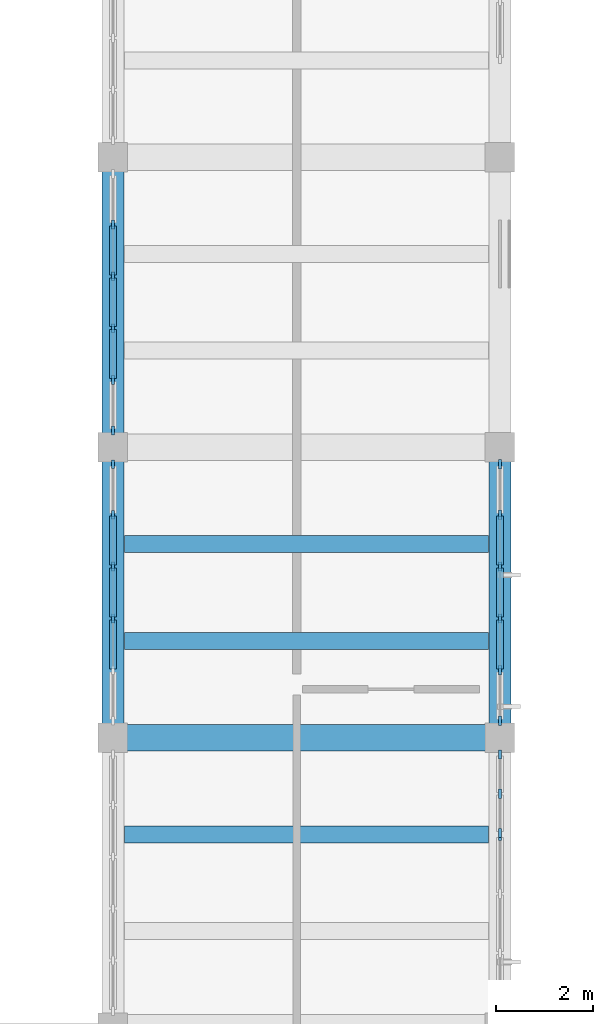
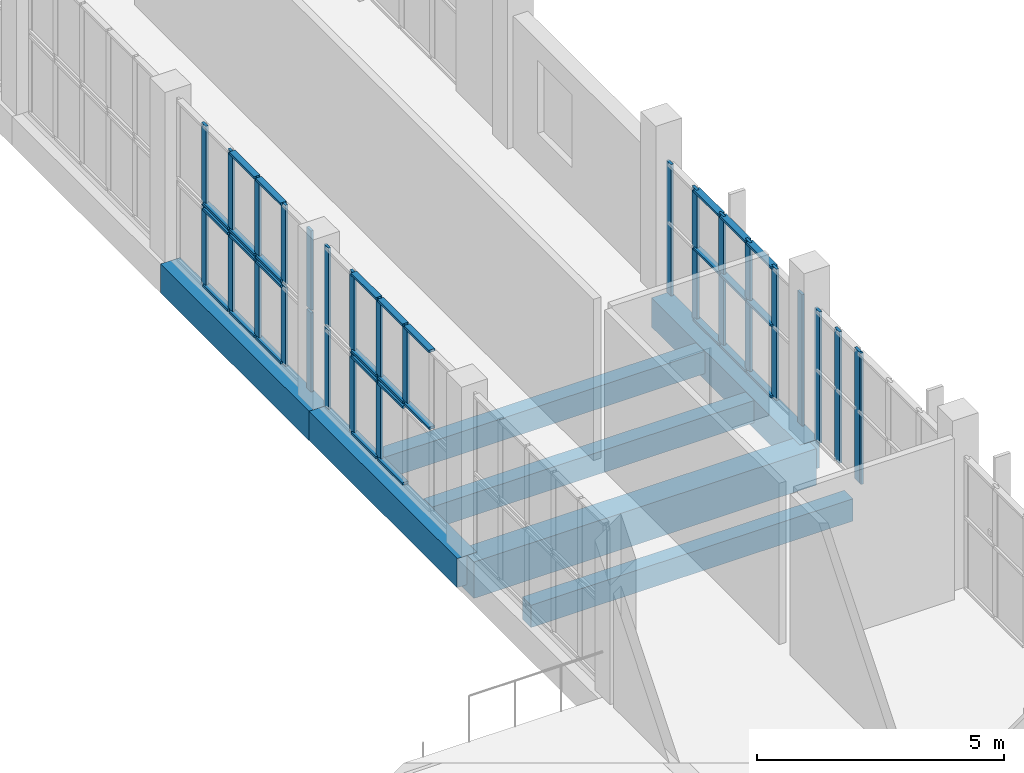
# One storey, part 9 of 85: 57 members, 7 beams, 7 elements without a shape of their own.
"""IFC4 building model written with IfcOpenShell, lengths in metres."""

from ifc_helpers import new_model, si_unit, direction, frame, origin, origin_2d, place, context, subcontext, project, spatial, rectangle, extrude, material, layer, layer_set, material_profile, profile_set, type_object, element, aggregate, save


model = new_model("IFC4")

# Units and contexts
model_context = context("Model", 3, precision=1e-05, world=origin(), true_north=direction((0.0, 1.0)))
body_context = subcontext(model_context, "Body", "Model", "MODEL_VIEW")
ifc_project = project(units=[si_unit("LENGTHUNIT", "METRE"), si_unit("AREAUNIT", "SQUARE_METRE"), si_unit("VOLUMEUNIT", "CUBIC_METRE"), si_unit("PLANEANGLEUNIT", "RADIAN"), si_unit("MASSUNIT", "GRAM", prefix="KILO")], contexts=[model_context])

# Site, building, storey
site_placement = place(None, origin())
site = spatial("IfcSite", under=ifc_project, at=site_placement, CompositionType="ELEMENT")
building_placement = place(site_placement, origin())
building = spatial("IfcBuilding", under=site, at=building_placement, Name="Solvane Community Centre", CompositionType="ELEMENT")
storey_placement = place(building_placement, frame((0.0, 0.0, 5.39990234375)))
storey = spatial("IfcBuildingStorey", under=building, at=storey_placement, Name="L01", CompositionType="ELEMENT", Elevation=5.39990234375)

# Curtain wall, members
ifc_material_1 = material(Name="Anodised bronze aluminium AW-6063 T6", Category="aluminium")
ifc_layer_1 = layer(ifc_material_1, 0.18994140625)
ifc_layer_set_1 = layer_set([ifc_layer_1], Name="Anodised bronze aluminium AW-6063 T6")
curtain_wall_type_1 = type_object("IfcCurtainWallType", Name="Boulevard Bronze Vision Curtain Wall [54x32dm]", PredefinedType="NOTDEFINED", material=ifc_layer_set_1)
curtain_wall_1_placement = place(storey_placement, origin())
curtain_wall_1 = element("IfcCurtainWall", 1, at=curtain_wall_1_placement, inside=storey, type_object=curtain_wall_type_1, Name="Curtain Wall CW-L01-680_537-107", PredefinedType="NOTDEFINED")
ifc_material_profile_1 = material_profile(ifc_material_1, rectangle(XDim=0.06005859375, YDim=0.18994140625, at=origin_2d()), Name="CW-M 60x190")
ifc_profile_set_1 = profile_set([ifc_material_profile_1], Name="Anodised bronze aluminium AW-6063 T6")
member_type_1 = type_object("IfcMemberType", Name="Boulevard Mullion 60x190", PredefinedType="MULLION", material=ifc_profile_set_1)
member_1_placement = place(storey_placement, frame((68.0, 53.64990234375, 0.0), z_axis=(0.0, 0.0, 1.0), x_axis=(1.0, 0.0, 0.0)))
member_1 = element("IfcMember", 2, at=member_1_placement, type_object=member_type_1, Name="CW02-54x32 mullion 1", PredefinedType="MULLION", context=body_context, shape_type="SweptSolid", body=[
    extrude(rectangle(XDim=0.06005859375, YDim=0.18994140625, at=origin_2d()), origin(), (0.0, 0.0, 1.0), 3.2451171875),
])
member_2_placement = place(storey_placement, frame((68.0, 52.60791015625, 0.0), z_axis=(0.0, 0.0, 1.0), x_axis=(1.0, 0.0, 0.0)))
member_2 = element("IfcMember", 3, at=member_2_placement, type_object=member_type_1, Name="CW02-54x32 mullion 2", PredefinedType="MULLION", context=body_context, shape_type="SweptSolid", body=[
    extrude(rectangle(XDim=0.06005859375, YDim=0.18994140625, at=origin_2d()), origin(), (0.0, 0.0, 1.0), 3.2451171875),
])
member_3_placement = place(storey_placement, frame((68.0, 51.535888671875, 0.0), z_axis=(0.0, 0.0, 1.0), x_axis=(1.0, 0.0, 0.0)))
member_3 = element("IfcMember", 4, at=member_3_placement, type_object=member_type_1, Name="CW02-54x32 mullion 3", PredefinedType="MULLION", context=body_context, shape_type="SweptSolid", body=[
    extrude(rectangle(XDim=0.06005859375, YDim=0.18994140625, at=origin_2d()), origin(), (0.0, 0.0, 1.0), 3.2451171875),
])
member_4_placement = place(storey_placement, frame((68.0, 50.464111328125, 0.0), z_axis=(0.0, 0.0, 1.0), x_axis=(1.0, 0.0, 0.0)))
member_4 = element("IfcMember", 5, at=member_4_placement, type_object=member_type_1, Name="CW02-54x32 mullion 4", PredefinedType="MULLION", context=body_context, shape_type="SweptSolid", body=[
    extrude(rectangle(XDim=0.06005859375, YDim=0.18994140625, at=origin_2d()), origin(), (0.0, 0.0, 1.0), 3.2451171875),
])
member_5_placement = place(storey_placement, frame((68.0, 49.39208984375, 0.0), z_axis=(0.0, 0.0, 1.0), x_axis=(1.0, 0.0, 0.0)))
member_5 = element("IfcMember", 6, at=member_5_placement, type_object=member_type_1, Name="CW02-54x32 mullion 5", PredefinedType="MULLION", context=body_context, shape_type="SweptSolid", body=[
    extrude(rectangle(XDim=0.06005859375, YDim=0.18994140625, at=origin_2d()), origin(), (0.0, 0.0, 1.0), 3.2451171875),
])
member_6_placement = place(storey_placement, frame((68.0, 48.35009765625, 0.0), z_axis=(0.0, 0.0, 1.0), x_axis=(1.0, 0.0, 0.0)))
member_6 = element("IfcMember", 7, at=member_6_placement, type_object=member_type_1, Name="CW02-54x32 mullion 6", PredefinedType="MULLION", context=body_context, shape_type="SweptSolid", body=[
    extrude(rectangle(XDim=0.06005859375, YDim=0.18994140625, at=origin_2d()), origin(), (0.0, 0.0, 1.0), 3.2451171875),
])

ifc_layer_2 = layer(ifc_material_1, 0.18994140625)
ifc_layer_set_2 = layer_set([ifc_layer_2], Name="Anodised bronze aluminium AW-6063 T6")
curtain_wall_type_2 = type_object("IfcCurtainWallType", Name="Boulevard Bronze Vision Curtain Wall [17x32dm]", PredefinedType="NOTDEFINED", material=ifc_layer_set_2)
curtain_wall_2_placement = place(storey_placement, origin())
curtain_wall_2 = element("IfcCurtainWall", 8, at=curtain_wall_2_placement, inside=storey, type_object=curtain_wall_type_2, Name="Curtain Wall CW-L01-680_477-108", PredefinedType="NOTDEFINED")
member_7_placement = place(storey_placement, frame((68.0, 47.64990234375, 0.0), z_axis=(0.0, 0.0, 1.0), x_axis=(1.0, 0.0, 0.0)))
member_7 = element("IfcMember", 9, at=member_7_placement, type_object=member_type_1, Name="CW02-17x32 mullion 1", PredefinedType="MULLION", context=body_context, shape_type="SweptSolid", body=[
    extrude(rectangle(XDim=0.06005859375, YDim=0.18994140625, at=origin_2d()), origin(), (0.0, 0.0, 1.0), 3.2451171875),
])
member_8_placement = place(storey_placement, frame((68.0, 46.840087890625, 0.0), z_axis=(0.0, 0.0, 1.0), x_axis=(1.0, 0.0, 0.0)))
member_8 = element("IfcMember", 10, at=member_8_placement, type_object=member_type_1, Name="CW02-17x32 mullion 2", PredefinedType="MULLION", context=body_context, shape_type="SweptSolid", body=[
    extrude(rectangle(XDim=0.06005859375, YDim=0.18994140625, at=origin_2d()), origin(), (0.0, 0.0, 1.0), 3.2451171875),
])
member_9_placement = place(storey_placement, frame((68.0, 46.030029296875, 0.0), z_axis=(0.0, 0.0, 1.0), x_axis=(1.0, 0.0, 0.0)))
member_9 = element("IfcMember", 11, at=member_9_placement, type_object=member_type_1, Name="CW02-17x32 mullion 3", PredefinedType="MULLION", context=body_context, shape_type="SweptSolid", body=[
    extrude(rectangle(XDim=0.06005859375, YDim=0.18994140625, at=origin_2d()), origin(), (0.0, 0.0, 1.0), 3.2451171875),
])
aggregate(curtain_wall_2, [member_7, member_8, member_9])

# Curtain wall, member
ifc_layer_3 = layer(ifc_material_1, 0.18994140625)
ifc_layer_set_3 = layer_set([ifc_layer_3], Name="Anodised bronze aluminium AW-6063 T6")
curtain_wall_type_3 = type_object("IfcCurtainWallType", Name="Boulevard Bronze Vision Curtain Wall [37x32dm]", PredefinedType="NOTDEFINED", material=ifc_layer_set_3)
curtain_wall_3_placement = place(storey_placement, origin())
curtain_wall_3 = element("IfcCurtainWall", 12, at=curtain_wall_3_placement, inside=storey, type_object=curtain_wall_type_3, Name="Curtain Wall CW-L01-680_460-109", PredefinedType="NOTDEFINED")
member_10_placement = place(storey_placement, frame((68.0, 45.969970703125, 0.0), z_axis=(0.0, 0.0, 1.0), x_axis=(1.0, 0.0, 0.0)))
member_10 = element("IfcMember", 13, at=member_10_placement, type_object=member_type_1, Name="CW02-37x32 mullion 1", PredefinedType="MULLION", context=body_context, shape_type="SweptSolid", body=[
    extrude(rectangle(XDim=0.06005859375, YDim=0.18994140625, at=origin_2d()), origin(), (0.0, 0.0, 1.0), 3.2451171875),
])
aggregate(curtain_wall_3, [member_10])

# Member
ifc_material_profile_2 = material_profile(ifc_material_1, rectangle(XDim=0.14990234375, YDim=0.06005859375, at=origin_2d()), Name="CW-T 60x150")
ifc_profile_set_2 = profile_set([ifc_material_profile_2], Name="Anodised bronze aluminium AW-6063 T6")
member_type_2 = type_object("IfcMemberType", Name="Boulevard Transom 60x150", PredefinedType="USERDEFINED", material=ifc_profile_set_2)
member_11_placement = place(storey_placement, frame((68.0, 52.577880859375, 0.030029296875), z_axis=(0.0, -1.0, 0.0), x_axis=(1.0, 0.0, 0.0)))
member_11 = element("IfcMember", 14, at=member_11_placement, type_object=member_type_2, Name="CW02-54x32 transom 2.1", ObjectType="TRANSOM", PredefinedType="USERDEFINED", context=body_context, shape_type="SweptSolid", body=[
    extrude(rectangle(XDim=0.14990234375, YDim=0.06005859375, at=origin_2d()), origin(), (0.0, 0.0, 1.0), 1.011962890625),
])

member_12_placement = place(storey_placement, frame((68.0, 52.577880859375, 1.78515625), z_axis=(0.0, -1.0, 0.0), x_axis=(1.0, 0.0, 0.0)))
member_12 = element("IfcMember", 15, at=member_12_placement, type_object=member_type_2, Name="CW02-54x32 transom 2.2", ObjectType="TRANSOM", PredefinedType="USERDEFINED", context=body_context, shape_type="SweptSolid", body=[
    extrude(rectangle(XDim=0.14990234375, YDim=0.06005859375, at=origin_2d()), origin(), (0.0, 0.0, 1.0), 1.011962890625),
])

member_13_placement = place(storey_placement, frame((68.0, 52.577880859375, 3.215087890625), z_axis=(0.0, -1.0, 0.0), x_axis=(1.0, 0.0, 0.0)))
member_13 = element("IfcMember", 16, at=member_13_placement, type_object=member_type_2, Name="CW02-54x32 transom 2.3", ObjectType="TRANSOM", PredefinedType="USERDEFINED", context=body_context, shape_type="SweptSolid", body=[
    extrude(rectangle(XDim=0.14990234375, YDim=0.06005859375, at=origin_2d()), origin(), (0.0, 0.0, 1.0), 1.011962890625),
])

member_14_placement = place(storey_placement, frame((68.0, 51.506103515625, 0.030029296875), z_axis=(0.0, -1.0, 0.0), x_axis=(1.0, 0.0, 0.0)))
member_14 = element("IfcMember", 17, at=member_14_placement, type_object=member_type_2, Name="CW02-54x32 transom 3.1", ObjectType="TRANSOM", PredefinedType="USERDEFINED", context=body_context, shape_type="SweptSolid", body=[
    extrude(rectangle(XDim=0.14990234375, YDim=0.06005859375, at=origin_2d()), origin(), (0.0, 0.0, 1.0), 1.01220703125),
])

member_15_placement = place(storey_placement, frame((68.0, 51.506103515625, 1.78515625), z_axis=(0.0, -1.0, 0.0), x_axis=(1.0, 0.0, 0.0)))
member_15 = element("IfcMember", 18, at=member_15_placement, type_object=member_type_2, Name="CW02-54x32 transom 3.2", ObjectType="TRANSOM", PredefinedType="USERDEFINED", context=body_context, shape_type="SweptSolid", body=[
    extrude(rectangle(XDim=0.14990234375, YDim=0.06005859375, at=origin_2d()), origin(), (0.0, 0.0, 1.0), 1.01220703125),
])

member_16_placement = place(storey_placement, frame((68.0, 51.506103515625, 3.215087890625), z_axis=(0.0, -1.0, 0.0), x_axis=(1.0, 0.0, 0.0)))
member_16 = element("IfcMember", 19, at=member_16_placement, type_object=member_type_2, Name="CW02-54x32 transom 3.3", ObjectType="TRANSOM", PredefinedType="USERDEFINED", context=body_context, shape_type="SweptSolid", body=[
    extrude(rectangle(XDim=0.14990234375, YDim=0.06005859375, at=origin_2d()), origin(), (0.0, 0.0, 1.0), 1.01220703125),
])

member_17_placement = place(storey_placement, frame((68.0, 50.43408203125, 0.030029296875), z_axis=(0.0, -1.0, 0.0), x_axis=(1.0, 0.0, 0.0)))
member_17 = element("IfcMember", 20, at=member_17_placement, type_object=member_type_2, Name="CW02-54x32 transom 4.1", ObjectType="TRANSOM", PredefinedType="USERDEFINED", context=body_context, shape_type="SweptSolid", body=[
    extrude(rectangle(XDim=0.14990234375, YDim=0.06005859375, at=origin_2d()), origin(), (0.0, 0.0, 1.0), 1.011962890625),
])

member_18_placement = place(storey_placement, frame((68.0, 50.43408203125, 1.78515625), z_axis=(0.0, -1.0, 0.0), x_axis=(1.0, 0.0, 0.0)))
member_18 = element("IfcMember", 21, at=member_18_placement, type_object=member_type_2, Name="CW02-54x32 transom 4.2", ObjectType="TRANSOM", PredefinedType="USERDEFINED", context=body_context, shape_type="SweptSolid", body=[
    extrude(rectangle(XDim=0.14990234375, YDim=0.06005859375, at=origin_2d()), origin(), (0.0, 0.0, 1.0), 1.011962890625),
])

member_19_placement = place(storey_placement, frame((68.0, 50.43408203125, 3.215087890625), z_axis=(0.0, -1.0, 0.0), x_axis=(1.0, 0.0, 0.0)))
member_19 = element("IfcMember", 22, at=member_19_placement, type_object=member_type_2, Name="CW02-54x32 transom 4.3", ObjectType="TRANSOM", PredefinedType="USERDEFINED", context=body_context, shape_type="SweptSolid", body=[
    extrude(rectangle(XDim=0.14990234375, YDim=0.06005859375, at=origin_2d()), origin(), (0.0, 0.0, 1.0), 1.011962890625),
])

aggregate(curtain_wall_1, [member_1, member_2, member_3, member_4, member_5, member_6, member_11, member_12, member_13, member_14, member_15, member_16, member_17, member_18, member_19])

# Curtain wall, members
ifc_layer_4 = layer(ifc_material_1, 0.179931640625)
ifc_layer_set_4 = layer_set([ifc_layer_4], Name="Anodised bronze aluminium AW-6063 T6")
curtain_wall_type_4 = type_object("IfcCurtainWallType", Name="Hall Translucent Upper Curtain Wall [54x19dm]", PredefinedType="NOTDEFINED", material=ifc_layer_set_4)
curtain_wall_4_placement = place(storey_placement, origin())
curtain_wall_4 = element("IfcCurtainWall", 23, at=curtain_wall_4_placement, inside=storey, type_object=curtain_wall_type_4, Name="Curtain Wall CW-L01-600_537-037", PredefinedType="NOTDEFINED")
ifc_material_profile_3 = material_profile(ifc_material_1, rectangle(XDim=0.06005859375, YDim=0.179931640625, at=origin_2d()), Name="CW-M 60x180")
ifc_profile_set_3 = profile_set([ifc_material_profile_3], Name="Anodised bronze aluminium AW-6063 T6")
member_type_3 = type_object("IfcMemberType", Name="Hall Mullion 60x180", PredefinedType="MULLION", material=ifc_profile_set_3)
member_20_placement = place(storey_placement, frame((60.0, 53.64990234375, 0.0), z_axis=(0.0, 0.0, 1.0), x_axis=(1.0, 0.0, 0.0)))
member_20 = element("IfcMember", 24, at=member_20_placement, type_object=member_type_3, Name="CW01-54x19 mullion 1", PredefinedType="MULLION", context=body_context, shape_type="SweptSolid", body=[
    extrude(rectangle(XDim=0.06005859375, YDim=0.179931640625, at=origin_2d()), origin(), (0.0, 0.0, 1.0), 1.9501953125),
])
member_21_placement = place(storey_placement, frame((60.0, 52.60791015625, 0.0), z_axis=(0.0, 0.0, 1.0), x_axis=(1.0, 0.0, 0.0)))
member_21 = element("IfcMember", 25, at=member_21_placement, type_object=member_type_3, Name="CW01-54x19 mullion 2", PredefinedType="MULLION", context=body_context, shape_type="SweptSolid", body=[
    extrude(rectangle(XDim=0.06005859375, YDim=0.179931640625, at=origin_2d()), origin(), (0.0, 0.0, 1.0), 1.9501953125),
])
member_22_placement = place(storey_placement, frame((60.0, 51.535888671875, 0.0), z_axis=(0.0, 0.0, 1.0), x_axis=(1.0, 0.0, 0.0)))
member_22 = element("IfcMember", 26, at=member_22_placement, type_object=member_type_3, Name="CW01-54x19 mullion 3", PredefinedType="MULLION", context=body_context, shape_type="SweptSolid", body=[
    extrude(rectangle(XDim=0.06005859375, YDim=0.179931640625, at=origin_2d()), origin(), (0.0, 0.0, 1.0), 1.9501953125),
])

ifc_layer_5 = layer(ifc_material_1, 0.179931640625)
ifc_layer_set_5 = layer_set([ifc_layer_5], Name="Anodised bronze aluminium AW-6063 T6")
curtain_wall_type_5 = type_object("IfcCurtainWallType", Name="Hall Translucent Upper Curtain Wall [54x20dm]", PredefinedType="NOTDEFINED", material=ifc_layer_set_5)
curtain_wall_5_placement = place(storey_placement, origin())
curtain_wall_5 = element("IfcCurtainWall", 27, at=curtain_wall_5_placement, inside=storey, type_object=curtain_wall_type_5, Name="Curtain Wall CW-L01-600_537-038", PredefinedType="NOTDEFINED")
member_23_placement = place(storey_placement, frame((60.0, 53.64990234375, 2.02001953125), z_axis=(0.0, 0.0, 1.0), x_axis=(1.0, 0.0, 0.0)))
member_23 = element("IfcMember", 28, at=member_23_placement, type_object=member_type_3, Name="CW01-54x20 mullion 1", PredefinedType="MULLION", context=body_context, shape_type="SweptSolid", body=[
    extrude(rectangle(XDim=0.06005859375, YDim=0.179931640625, at=origin_2d()), origin(), (0.0, 0.0, 1.0), 1.9599609375),
])
member_24_placement = place(storey_placement, frame((60.0, 52.60791015625, 2.02001953125), z_axis=(0.0, 0.0, 1.0), x_axis=(1.0, 0.0, 0.0)))
member_24 = element("IfcMember", 29, at=member_24_placement, type_object=member_type_3, Name="CW01-54x20 mullion 2", PredefinedType="MULLION", context=body_context, shape_type="SweptSolid", body=[
    extrude(rectangle(XDim=0.06005859375, YDim=0.179931640625, at=origin_2d()), origin(), (0.0, 0.0, 1.0), 1.9599609375),
])
member_25_placement = place(storey_placement, frame((60.0, 51.535888671875, 2.02001953125), z_axis=(0.0, 0.0, 1.0), x_axis=(1.0, 0.0, 0.0)))
member_25 = element("IfcMember", 30, at=member_25_placement, type_object=member_type_3, Name="CW01-54x20 mullion 3", PredefinedType="MULLION", context=body_context, shape_type="SweptSolid", body=[
    extrude(rectangle(XDim=0.06005859375, YDim=0.179931640625, at=origin_2d()), origin(), (0.0, 0.0, 1.0), 1.9599609375),
])
member_26_placement = place(storey_placement, frame((60.0, 50.464111328125, 2.02001953125), z_axis=(0.0, 0.0, 1.0), x_axis=(1.0, 0.0, 0.0)))
member_26 = element("IfcMember", 31, at=member_26_placement, type_object=member_type_3, Name="CW01-54x20 mullion 4", PredefinedType="MULLION", context=body_context, shape_type="SweptSolid", body=[
    extrude(rectangle(XDim=0.06005859375, YDim=0.179931640625, at=origin_2d()), origin(), (0.0, 0.0, 1.0), 1.9599609375),
])

curtain_wall_6_placement = place(storey_placement, origin())
curtain_wall_6 = element("IfcCurtainWall", 32, at=curtain_wall_6_placement, inside=storey, type_object=curtain_wall_type_4, Name="Curtain Wall CW-L01-600_597-045", PredefinedType="NOTDEFINED")
member_27_placement = place(storey_placement, frame((60.0, 58.60791015625, 0.0), z_axis=(0.0, 0.0, 1.0), x_axis=(1.0, 0.0, 0.0)))
member_27 = element("IfcMember", 33, at=member_27_placement, type_object=member_type_3, Name="CW01-54x19 mullion 2", PredefinedType="MULLION", context=body_context, shape_type="SweptSolid", body=[
    extrude(rectangle(XDim=0.06005859375, YDim=0.179931640625, at=origin_2d()), origin(), (0.0, 0.0, 1.0), 1.9501953125),
])
member_28_placement = place(storey_placement, frame((60.0, 57.535888671875, 0.0), z_axis=(0.0, 0.0, 1.0), x_axis=(1.0, 0.0, 0.0)))
member_28 = element("IfcMember", 34, at=member_28_placement, type_object=member_type_3, Name="CW01-54x19 mullion 3", PredefinedType="MULLION", context=body_context, shape_type="SweptSolid", body=[
    extrude(rectangle(XDim=0.06005859375, YDim=0.179931640625, at=origin_2d()), origin(), (0.0, 0.0, 1.0), 1.9501953125),
])
member_29_placement = place(storey_placement, frame((60.0, 56.464111328125, 0.0), z_axis=(0.0, 0.0, 1.0), x_axis=(1.0, 0.0, 0.0)))
member_29 = element("IfcMember", 35, at=member_29_placement, type_object=member_type_3, Name="CW01-54x19 mullion 4", PredefinedType="MULLION", context=body_context, shape_type="SweptSolid", body=[
    extrude(rectangle(XDim=0.06005859375, YDim=0.179931640625, at=origin_2d()), origin(), (0.0, 0.0, 1.0), 1.9501953125),
])
member_30_placement = place(storey_placement, frame((60.0, 55.39208984375, 0.0), z_axis=(0.0, 0.0, 1.0), x_axis=(1.0, 0.0, 0.0)))
member_30 = element("IfcMember", 36, at=member_30_placement, type_object=member_type_3, Name="CW01-54x19 mullion 5", PredefinedType="MULLION", context=body_context, shape_type="SweptSolid", body=[
    extrude(rectangle(XDim=0.06005859375, YDim=0.179931640625, at=origin_2d()), origin(), (0.0, 0.0, 1.0), 1.9501953125),
])
member_31_placement = place(storey_placement, frame((60.0, 54.35009765625, 0.0), z_axis=(0.0, 0.0, 1.0), x_axis=(1.0, 0.0, 0.0)))
member_31 = element("IfcMember", 37, at=member_31_placement, type_object=member_type_3, Name="CW01-54x19 mullion 6", PredefinedType="MULLION", context=body_context, shape_type="SweptSolid", body=[
    extrude(rectangle(XDim=0.06005859375, YDim=0.179931640625, at=origin_2d()), origin(), (0.0, 0.0, 1.0), 1.9501953125),
])

curtain_wall_7_placement = place(storey_placement, origin())
curtain_wall_7 = element("IfcCurtainWall", 38, at=curtain_wall_7_placement, inside=storey, type_object=curtain_wall_type_5, Name="Curtain Wall CW-L01-600_597-046", PredefinedType="NOTDEFINED")
member_32_placement = place(storey_placement, frame((60.0, 58.60791015625, 2.02001953125), z_axis=(0.0, 0.0, 1.0), x_axis=(1.0, 0.0, 0.0)))
member_32 = element("IfcMember", 39, at=member_32_placement, type_object=member_type_3, Name="CW01-54x20 mullion 2", PredefinedType="MULLION", context=body_context, shape_type="SweptSolid", body=[
    extrude(rectangle(XDim=0.06005859375, YDim=0.179931640625, at=origin_2d()), origin(), (0.0, 0.0, 1.0), 1.9599609375),
])
member_33_placement = place(storey_placement, frame((60.0, 57.535888671875, 2.02001953125), z_axis=(0.0, 0.0, 1.0), x_axis=(1.0, 0.0, 0.0)))
member_33 = element("IfcMember", 40, at=member_33_placement, type_object=member_type_3, Name="CW01-54x20 mullion 3", PredefinedType="MULLION", context=body_context, shape_type="SweptSolid", body=[
    extrude(rectangle(XDim=0.06005859375, YDim=0.179931640625, at=origin_2d()), origin(), (0.0, 0.0, 1.0), 1.9599609375),
])
member_34_placement = place(storey_placement, frame((60.0, 56.464111328125, 2.02001953125), z_axis=(0.0, 0.0, 1.0), x_axis=(1.0, 0.0, 0.0)))
member_34 = element("IfcMember", 41, at=member_34_placement, type_object=member_type_3, Name="CW01-54x20 mullion 4", PredefinedType="MULLION", context=body_context, shape_type="SweptSolid", body=[
    extrude(rectangle(XDim=0.06005859375, YDim=0.179931640625, at=origin_2d()), origin(), (0.0, 0.0, 1.0), 1.9599609375),
])
member_35_placement = place(storey_placement, frame((60.0, 55.39208984375, 2.02001953125), z_axis=(0.0, 0.0, 1.0), x_axis=(1.0, 0.0, 0.0)))
member_35 = element("IfcMember", 42, at=member_35_placement, type_object=member_type_3, Name="CW01-54x20 mullion 5", PredefinedType="MULLION", context=body_context, shape_type="SweptSolid", body=[
    extrude(rectangle(XDim=0.06005859375, YDim=0.179931640625, at=origin_2d()), origin(), (0.0, 0.0, 1.0), 1.9599609375),
])
member_36_placement = place(storey_placement, frame((60.0, 54.35009765625, 2.02001953125), z_axis=(0.0, 0.0, 1.0), x_axis=(1.0, 0.0, 0.0)))
member_36 = element("IfcMember", 43, at=member_36_placement, type_object=member_type_3, Name="CW01-54x20 mullion 6", PredefinedType="MULLION", context=body_context, shape_type="SweptSolid", body=[
    extrude(rectangle(XDim=0.06005859375, YDim=0.179931640625, at=origin_2d()), origin(), (0.0, 0.0, 1.0), 1.9599609375),
])

# Member
ifc_material_profile_4 = material_profile(ifc_material_1, rectangle(XDim=0.139892578125, YDim=0.06005859375, at=origin_2d()), Name="CW-T 60x140")
ifc_profile_set_4 = profile_set([ifc_material_profile_4], Name="Anodised bronze aluminium AW-6063 T6")
member_type_4 = type_object("IfcMemberType", Name="Hall Transom 60x140", PredefinedType="USERDEFINED", material=ifc_profile_set_4)
member_37_placement = place(storey_placement, frame((60.0, 52.577880859375, 0.030029296875), z_axis=(0.0, -1.0, 0.0), x_axis=(1.0, 0.0, 0.0)))
member_37 = element("IfcMember", 44, at=member_37_placement, type_object=member_type_4, Name="CW01-54x19 transom 2.1", ObjectType="TRANSOM", PredefinedType="USERDEFINED", context=body_context, shape_type="SweptSolid", body=[
    extrude(rectangle(XDim=0.139892578125, YDim=0.06005859375, at=origin_2d()), origin(), (0.0, 0.0, 1.0), 1.011962890625),
])

member_38_placement = place(storey_placement, frame((60.0, 52.577880859375, 1.920166015625), z_axis=(0.0, -1.0, 0.0), x_axis=(1.0, 0.0, 0.0)))
member_38 = element("IfcMember", 45, at=member_38_placement, type_object=member_type_4, Name="CW01-54x19 transom 2.2", ObjectType="TRANSOM", PredefinedType="USERDEFINED", context=body_context, shape_type="SweptSolid", body=[
    extrude(rectangle(XDim=0.139892578125, YDim=0.06005859375, at=origin_2d()), origin(), (0.0, 0.0, 1.0), 1.011962890625),
])

member_39_placement = place(storey_placement, frame((60.0, 51.506103515625, 0.030029296875), z_axis=(0.0, -1.0, 0.0), x_axis=(1.0, 0.0, 0.0)))
member_39 = element("IfcMember", 46, at=member_39_placement, type_object=member_type_4, Name="CW01-54x19 transom 3.1", ObjectType="TRANSOM", PredefinedType="USERDEFINED", context=body_context, shape_type="SweptSolid", body=[
    extrude(rectangle(XDim=0.139892578125, YDim=0.06005859375, at=origin_2d()), origin(), (0.0, 0.0, 1.0), 1.01220703125),
])

member_40_placement = place(storey_placement, frame((60.0, 51.506103515625, 1.920166015625), z_axis=(0.0, -1.0, 0.0), x_axis=(1.0, 0.0, 0.0)))
member_40 = element("IfcMember", 47, at=member_40_placement, type_object=member_type_4, Name="CW01-54x19 transom 3.2", ObjectType="TRANSOM", PredefinedType="USERDEFINED", context=body_context, shape_type="SweptSolid", body=[
    extrude(rectangle(XDim=0.139892578125, YDim=0.06005859375, at=origin_2d()), origin(), (0.0, 0.0, 1.0), 1.01220703125),
])

aggregate(curtain_wall_4, [member_20, member_21, member_22, member_37, member_38, member_39, member_40])

member_41_placement = place(storey_placement, frame((60.0, 52.577880859375, 2.050048828125), z_axis=(0.0, -1.0, 0.0), x_axis=(1.0, 0.0, 0.0)))
member_41 = element("IfcMember", 48, at=member_41_placement, type_object=member_type_4, Name="CW01-54x20 transom 2.1", ObjectType="TRANSOM", PredefinedType="USERDEFINED", context=body_context, shape_type="SweptSolid", body=[
    extrude(rectangle(XDim=0.139892578125, YDim=0.06005859375, at=origin_2d()), origin(), (0.0, 0.0, 1.0), 1.011962890625),
])

member_42_placement = place(storey_placement, frame((60.0, 52.577880859375, 3.9501953125), z_axis=(0.0, -1.0, 0.0), x_axis=(1.0, 0.0, 0.0)))
member_42 = element("IfcMember", 49, at=member_42_placement, type_object=member_type_4, Name="CW01-54x20 transom 2.2", ObjectType="TRANSOM", PredefinedType="USERDEFINED", context=body_context, shape_type="SweptSolid", body=[
    extrude(rectangle(XDim=0.139892578125, YDim=0.06005859375, at=origin_2d()), origin(), (0.0, 0.0, 1.0), 1.011962890625),
])

member_43_placement = place(storey_placement, frame((60.0, 51.506103515625, 2.050048828125), z_axis=(0.0, -1.0, 0.0), x_axis=(1.0, 0.0, 0.0)))
member_43 = element("IfcMember", 50, at=member_43_placement, type_object=member_type_4, Name="CW01-54x20 transom 3.1", ObjectType="TRANSOM", PredefinedType="USERDEFINED", context=body_context, shape_type="SweptSolid", body=[
    extrude(rectangle(XDim=0.139892578125, YDim=0.06005859375, at=origin_2d()), origin(), (0.0, 0.0, 1.0), 1.01220703125),
])

member_44_placement = place(storey_placement, frame((60.0, 51.506103515625, 3.9501953125), z_axis=(0.0, -1.0, 0.0), x_axis=(1.0, 0.0, 0.0)))
member_44 = element("IfcMember", 51, at=member_44_placement, type_object=member_type_4, Name="CW01-54x20 transom 3.2", ObjectType="TRANSOM", PredefinedType="USERDEFINED", context=body_context, shape_type="SweptSolid", body=[
    extrude(rectangle(XDim=0.139892578125, YDim=0.06005859375, at=origin_2d()), origin(), (0.0, 0.0, 1.0), 1.01220703125),
])

member_45_placement = place(storey_placement, frame((60.0, 50.43408203125, 2.050048828125), z_axis=(0.0, -1.0, 0.0), x_axis=(1.0, 0.0, 0.0)))
member_45 = element("IfcMember", 52, at=member_45_placement, type_object=member_type_4, Name="CW01-54x20 transom 4.1", ObjectType="TRANSOM", PredefinedType="USERDEFINED", context=body_context, shape_type="SweptSolid", body=[
    extrude(rectangle(XDim=0.139892578125, YDim=0.06005859375, at=origin_2d()), origin(), (0.0, 0.0, 1.0), 1.011962890625),
])

member_46_placement = place(storey_placement, frame((60.0, 50.43408203125, 3.9501953125), z_axis=(0.0, -1.0, 0.0), x_axis=(1.0, 0.0, 0.0)))
member_46 = element("IfcMember", 53, at=member_46_placement, type_object=member_type_4, Name="CW01-54x20 transom 4.2", ObjectType="TRANSOM", PredefinedType="USERDEFINED", context=body_context, shape_type="SweptSolid", body=[
    extrude(rectangle(XDim=0.139892578125, YDim=0.06005859375, at=origin_2d()), origin(), (0.0, 0.0, 1.0), 1.011962890625),
])

aggregate(curtain_wall_5, [member_23, member_24, member_25, member_26, member_41, member_42, member_43, member_44, member_45, member_46])

member_47_placement = place(storey_placement, frame((60.0, 58.577880859375, 0.030029296875), z_axis=(0.0, -1.0, 0.0), x_axis=(1.0, 0.0, 0.0)))
member_47 = element("IfcMember", 54, at=member_47_placement, type_object=member_type_4, Name="CW01-54x19 transom 2.1", ObjectType="TRANSOM", PredefinedType="USERDEFINED", context=body_context, shape_type="SweptSolid", body=[
    extrude(rectangle(XDim=0.139892578125, YDim=0.06005859375, at=origin_2d()), origin(), (0.0, 0.0, 1.0), 1.011962890625),
])

member_48_placement = place(storey_placement, frame((60.0, 58.577880859375, 1.920166015625), z_axis=(0.0, -1.0, 0.0), x_axis=(1.0, 0.0, 0.0)))
member_48 = element("IfcMember", 55, at=member_48_placement, type_object=member_type_4, Name="CW01-54x19 transom 2.2", ObjectType="TRANSOM", PredefinedType="USERDEFINED", context=body_context, shape_type="SweptSolid", body=[
    extrude(rectangle(XDim=0.139892578125, YDim=0.06005859375, at=origin_2d()), origin(), (0.0, 0.0, 1.0), 1.011962890625),
])

member_49_placement = place(storey_placement, frame((60.0, 57.506103515625, 0.030029296875), z_axis=(0.0, -1.0, 0.0), x_axis=(1.0, 0.0, 0.0)))
member_49 = element("IfcMember", 56, at=member_49_placement, type_object=member_type_4, Name="CW01-54x19 transom 3.1", ObjectType="TRANSOM", PredefinedType="USERDEFINED", context=body_context, shape_type="SweptSolid", body=[
    extrude(rectangle(XDim=0.139892578125, YDim=0.06005859375, at=origin_2d()), origin(), (0.0, 0.0, 1.0), 1.01220703125),
])

member_50_placement = place(storey_placement, frame((60.0, 57.506103515625, 1.920166015625), z_axis=(0.0, -1.0, 0.0), x_axis=(1.0, 0.0, 0.0)))
member_50 = element("IfcMember", 57, at=member_50_placement, type_object=member_type_4, Name="CW01-54x19 transom 3.2", ObjectType="TRANSOM", PredefinedType="USERDEFINED", context=body_context, shape_type="SweptSolid", body=[
    extrude(rectangle(XDim=0.139892578125, YDim=0.06005859375, at=origin_2d()), origin(), (0.0, 0.0, 1.0), 1.01220703125),
])

member_51_placement = place(storey_placement, frame((60.0, 56.43408203125, 0.030029296875), z_axis=(0.0, -1.0, 0.0), x_axis=(1.0, 0.0, 0.0)))
member_51 = element("IfcMember", 58, at=member_51_placement, type_object=member_type_4, Name="CW01-54x19 transom 4.1", ObjectType="TRANSOM", PredefinedType="USERDEFINED", context=body_context, shape_type="SweptSolid", body=[
    extrude(rectangle(XDim=0.139892578125, YDim=0.06005859375, at=origin_2d()), origin(), (0.0, 0.0, 1.0), 1.011962890625),
])

member_52_placement = place(storey_placement, frame((60.0, 56.43408203125, 1.920166015625), z_axis=(0.0, -1.0, 0.0), x_axis=(1.0, 0.0, 0.0)))
member_52 = element("IfcMember", 59, at=member_52_placement, type_object=member_type_4, Name="CW01-54x19 transom 4.2", ObjectType="TRANSOM", PredefinedType="USERDEFINED", context=body_context, shape_type="SweptSolid", body=[
    extrude(rectangle(XDim=0.139892578125, YDim=0.06005859375, at=origin_2d()), origin(), (0.0, 0.0, 1.0), 1.011962890625),
])

aggregate(curtain_wall_6, [member_27, member_28, member_29, member_30, member_31, member_47, member_48, member_49, member_50, member_51, member_52])

member_53_placement = place(storey_placement, frame((60.0, 58.577880859375, 2.050048828125), z_axis=(0.0, -1.0, 0.0), x_axis=(1.0, 0.0, 0.0)))
member_53 = element("IfcMember", 60, at=member_53_placement, type_object=member_type_4, Name="CW01-54x20 transom 2.1", ObjectType="TRANSOM", PredefinedType="USERDEFINED", context=body_context, shape_type="SweptSolid", body=[
    extrude(rectangle(XDim=0.139892578125, YDim=0.06005859375, at=origin_2d()), origin(), (0.0, 0.0, 1.0), 1.011962890625),
])

member_54_placement = place(storey_placement, frame((60.0, 57.506103515625, 2.050048828125), z_axis=(0.0, -1.0, 0.0), x_axis=(1.0, 0.0, 0.0)))
member_54 = element("IfcMember", 61, at=member_54_placement, type_object=member_type_4, Name="CW01-54x20 transom 3.1", ObjectType="TRANSOM", PredefinedType="USERDEFINED", context=body_context, shape_type="SweptSolid", body=[
    extrude(rectangle(XDim=0.139892578125, YDim=0.06005859375, at=origin_2d()), origin(), (0.0, 0.0, 1.0), 1.01220703125),
])

member_55_placement = place(storey_placement, frame((60.0, 57.506103515625, 3.9501953125), z_axis=(0.0, -1.0, 0.0), x_axis=(1.0, 0.0, 0.0)))
member_55 = element("IfcMember", 62, at=member_55_placement, type_object=member_type_4, Name="CW01-54x20 transom 3.2", ObjectType="TRANSOM", PredefinedType="USERDEFINED", context=body_context, shape_type="SweptSolid", body=[
    extrude(rectangle(XDim=0.139892578125, YDim=0.06005859375, at=origin_2d()), origin(), (0.0, 0.0, 1.0), 1.01220703125),
])

member_56_placement = place(storey_placement, frame((60.0, 56.43408203125, 2.050048828125), z_axis=(0.0, -1.0, 0.0), x_axis=(1.0, 0.0, 0.0)))
member_56 = element("IfcMember", 63, at=member_56_placement, type_object=member_type_4, Name="CW01-54x20 transom 4.1", ObjectType="TRANSOM", PredefinedType="USERDEFINED", context=body_context, shape_type="SweptSolid", body=[
    extrude(rectangle(XDim=0.139892578125, YDim=0.06005859375, at=origin_2d()), origin(), (0.0, 0.0, 1.0), 1.011962890625),
])

member_57_placement = place(storey_placement, frame((60.0, 56.43408203125, 3.9501953125), z_axis=(0.0, -1.0, 0.0), x_axis=(1.0, 0.0, 0.0)))
member_57 = element("IfcMember", 64, at=member_57_placement, type_object=member_type_4, Name="CW01-54x20 transom 4.2", ObjectType="TRANSOM", PredefinedType="USERDEFINED", context=body_context, shape_type="SweptSolid", body=[
    extrude(rectangle(XDim=0.139892578125, YDim=0.06005859375, at=origin_2d()), origin(), (0.0, 0.0, 1.0), 1.011962890625),
])

aggregate(curtain_wall_7, [member_32, member_33, member_34, member_35, member_36, member_53, member_54, member_55, member_56, member_57])

# Beams
ifc_material_2 = material(Name="Concrete C35/45", Category="concrete")
ifc_material_profile_5 = material_profile(ifc_material_2, rectangle(XDim=0.4599609375, YDim=0.719970703125, at=origin_2d()), Name="RC 460x720")
ifc_profile_set_5 = profile_set([ifc_material_profile_5], Name="Concrete C35/45")
beam_type_1 = type_object("IfcBeamType", Name="RC Cloister Beam 460x720", PredefinedType="BEAM", material=ifc_profile_set_5)
for number, where, z_axis, x_axis, name in (
    (65, (60.0, 48.0, -0.599853515625), (0.0, 1.0, 0.0), (-1.0, 0.0, 0.0), "Beam BM-L01-600_480-600_540"),
    (66, (60.0, 54.0, -0.599853515625), (0.0, 1.0, 0.0), (-1.0, 0.0, 0.0), "Beam BM-L01-600_540-600_600"),
    (67, (68.0, 48.0, -0.599853515625), (0.0, 1.0, 0.0), (-1.0, 0.0, 0.0), "Beam BM-L01-680_480-680_540"),
):
    element("IfcBeam", number, at=place(storey_placement, frame(where, z_axis=z_axis, x_axis=x_axis)), inside=storey, type_object=beam_type_1, Name=name, PredefinedType="BEAM", context=body_context, shape_type="SweptSolid", body=[
        extrude(rectangle(XDim=0.4599609375, YDim=0.719970703125, at=origin_2d()), origin(), (0.0, 0.0, 1.0), 6.0),
    ])
ifc_material_profile_6 = material_profile(ifc_material_2, rectangle(XDim=0.550048828125, YDim=0.89990234375, at=origin_2d()), Name="RC 550x900")
ifc_profile_set_6 = profile_set([ifc_material_profile_6], Name="Concrete C35/45")
beam_type_2 = type_object("IfcBeamType", Name="RC Heavy Girder 550x900", PredefinedType="USERDEFINED", material=ifc_profile_set_6)
beam_placement = place(storey_placement, frame((60.0, 48.0, -0.68994140625), z_axis=(1.0, 0.0, 0.0), x_axis=(0.0, 1.0, 0.0)))
element("IfcBeam", 68, at=beam_placement, inside=storey, type_object=beam_type_2, Name="Beam BM-L01-600_480-680_480", ObjectType="GIRDER", PredefinedType="USERDEFINED", context=body_context, shape_type="SweptSolid", body=[
    extrude(rectangle(XDim=0.550048828125, YDim=0.89990234375, at=origin_2d()), origin(), (0.0, 0.0, 1.0), 8.0),
])
ifc_material_profile_7 = material_profile(ifc_material_2, rectangle(XDim=0.35009765625, YDim=0.550048828125, at=origin_2d()), Name="RC 350x550")
ifc_profile_set_7 = profile_set([ifc_material_profile_7], Name="Concrete C35/45")
beam_type_3 = type_object("IfcBeamType", Name="RC Secondary Joist 350x550", PredefinedType="JOIST", material=ifc_profile_set_7)
for number, where, z_axis, x_axis, name in (
    (69, (60.239990234375, 46.0, -0.514892578125), (1.0, 0.0, 0.0), (0.0, 1.0, 0.0), "Beam BM-L01-602_460-678_460"),
    (70, (60.239990234375, 50.0, -0.514892578125), (1.0, 0.0, 0.0), (0.0, 1.0, 0.0), "Beam BM-L01-602_500-678_500"),
    (71, (60.239990234375, 52.0, -0.514892578125), (1.0, 0.0, 0.0), (0.0, 1.0, 0.0), "Beam BM-L01-602_520-678_520"),
):
    element("IfcBeam", number, at=place(storey_placement, frame(where, z_axis=z_axis, x_axis=x_axis)), inside=storey, type_object=beam_type_3, Name=name, PredefinedType="JOIST", context=body_context, shape_type="SweptSolid", body=[
        extrude(rectangle(XDim=0.35009765625, YDim=0.550048828125, at=origin_2d()), origin(), (0.0, 0.0, 1.0), 7.52001953125),
    ])

save(model, "model.ifc")
